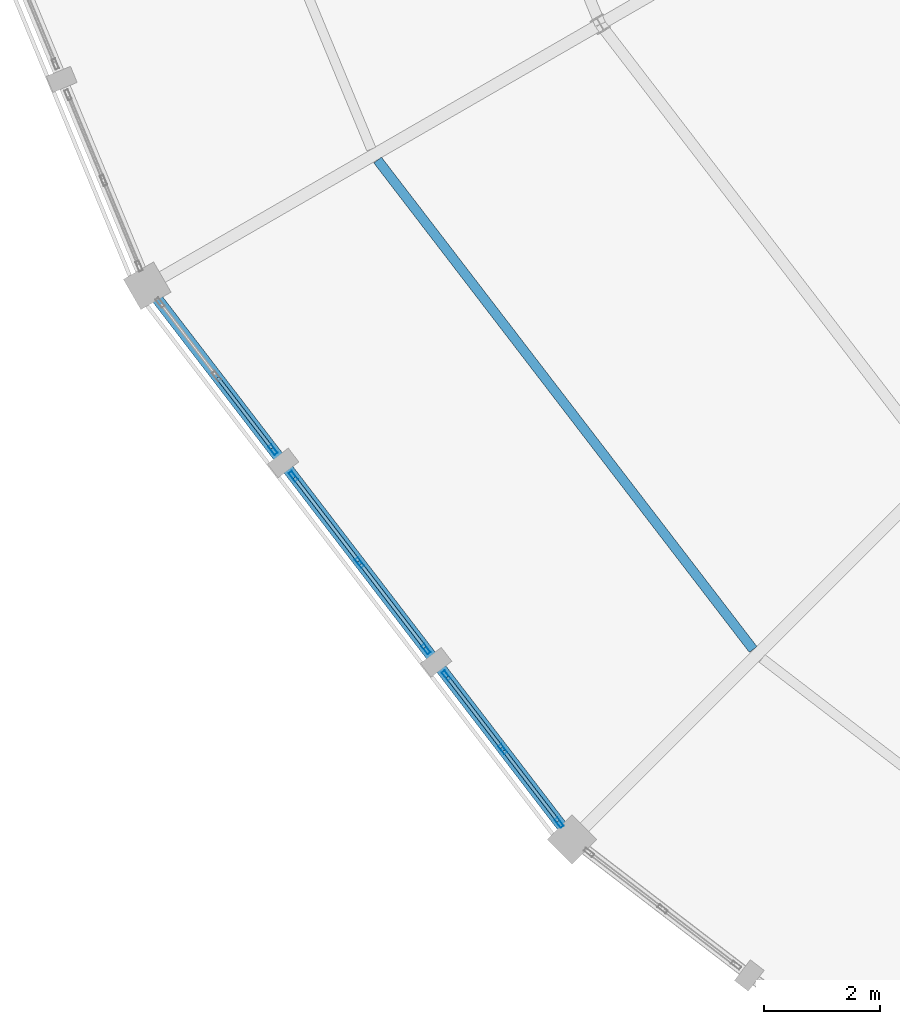
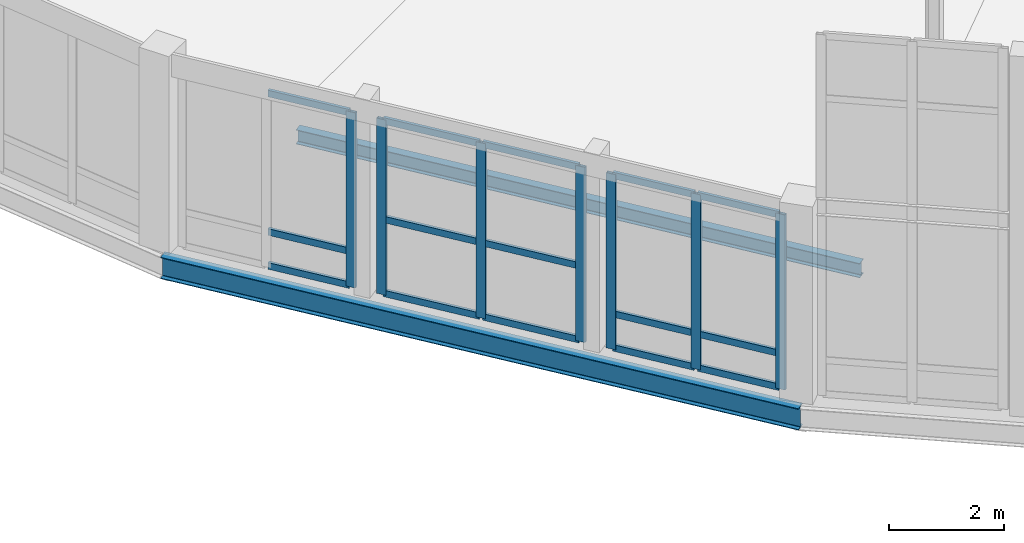
# One storey, part 44 of 185: 22 members, 2 beams, 3 elements without a shape of their own.
"""IFC4 building model written with IfcOpenShell, lengths in metres."""

from ifc_helpers import new_model, si_unit, direction, frame, origin, origin_2d, place, context, subcontext, project, spatial, hollow_rectangle, i_section, extrude, material, material_profile, profile_set, type_object, element, aggregate, save


model = new_model("IFC4")

# Units and contexts
model_context = context("Model", 3, precision=1e-05, world=origin(), true_north=direction((0.0, 1.0)))
body_context = subcontext(model_context, "Body", "Model", "MODEL_VIEW")
ifc_project = project(units=[si_unit("LENGTHUNIT", "METRE"), si_unit("AREAUNIT", "SQUARE_METRE"), si_unit("VOLUMEUNIT", "CUBIC_METRE"), si_unit("PLANEANGLEUNIT", "RADIAN"), si_unit("MASSUNIT", "GRAM", prefix="KILO")], contexts=[model_context])

# Site, building, storey
site_placement = place(None, origin())
site = spatial("IfcSite", under=ifc_project, at=site_placement, CompositionType="ELEMENT")
building_placement = place(site_placement, origin())
building = spatial("IfcBuilding", under=site, at=building_placement, Name="Vondelvale Polytechnic", CompositionType="ELEMENT")
storey_placement = place(building_placement, frame((0.0, 0.0, 9.60009765625)))
storey = spatial("IfcBuildingStorey", under=building, at=storey_placement, Name="L02", CompositionType="ELEMENT", Elevation=9.60009765625)

# Beam
ifc_material_1 = material(Name="Steel 300PLUS (fy = 300 MPa)", Category="steel")
ifc_material_profile_1 = material_profile(ifc_material_1, i_section(OverallWidth=0.18994140625, OverallDepth=0.45703125, WebThickness=0.009033203125, FlangeThickness=0.014404296875, FilletRadius=0.011474609375, at=origin_2d()), Name="460UB74.6")
ifc_profile_set_1 = profile_set([ifc_material_profile_1], Name="Steel 300PLUS (fy = 300 MPa)")
beam_type_1 = type_object("IfcBeamType", Name="BM-UB460", PredefinedType="BEAM", material=ifc_profile_set_1)
beam_1_placement = place(storey_placement, frame((62.162841796875, 49.0, -0.508544921875), z_axis=(0.608766116008, -0.793349743808, 0.0), x_axis=(0.793349743808, 0.608766116008, 0.0)))
element("IfcBeam", 1, at=beam_1_placement, inside=storey, type_object=beam_type_1, Name="L02 RB B-13", PredefinedType="BEAM", context=body_context, shape_type="SweptSolid", body=[
    extrude(i_section(OverallWidth=0.18994140625, OverallDepth=0.45703125, WebThickness=0.009033203125, FlangeThickness=0.014404296875, FilletRadius=0.011474609375, at=origin_2d()), origin(), (0.0, 0.0, 1.0), 12.00830078125),
])

# Curtain wall, member
ifc_material_2 = material(Name="Glulam GL18 structural Tasmanian oak (fb = 42 MPa)", Category="wood")
curtain_wall_type = type_object("IfcCurtainWallType", Name="CW-RING-OUTER", PredefinedType="NOTDEFINED", material=ifc_material_2)
curtain_wall_1_placement = place(storey_placement, origin())
curtain_wall_1 = element("IfcCurtainWall", 2, at=curtain_wall_1_placement, inside=storey, type_object=curtain_wall_type, Name="L02 architectural curtain wall CW-04-303", PredefinedType="NOTDEFINED")
ifc_material_3 = material(Name="Anodised extruded aluminium 6063-T6", Category="aluminium")
ifc_material_profile_2 = material_profile(ifc_material_3, hollow_rectangle(XDim=0.06494140625, YDim=0.179931640625, WallThickness=0.00390625, at=origin_2d()), Name="CW-MUL-180x65")
ifc_profile_set_2 = profile_set([ifc_material_profile_2], Name="Anodised extruded aluminium 6063-T6")
member_type_1 = type_object("IfcMemberType", Name="CW-MUL-65x180", PredefinedType="MULLION", material=ifc_profile_set_2)
member_1_placement = place(storey_placement, frame((64.3271484375, 46.179443359375, 0.0), z_axis=(0.0, 0.0, 1.0), x_axis=(0.793333825656, 0.608786860133, 0.0)))
member_1 = element("IfcMember", 3, at=member_1_placement, type_object=member_type_1, Name="CW-04-303 mullion 3", PredefinedType="MULLION", context=body_context, shape_type="SweptSolid", body=[
    extrude(hollow_rectangle(XDim=0.06494140625, YDim=0.179931640625, WallThickness=0.00390625, at=origin_2d()), origin(), (0.0, 0.0, 1.0), 3.719970703125),
])

# Curtain wall, members
curtain_wall_2_placement = place(storey_placement, origin())
curtain_wall_2 = element("IfcCurtainWall", 4, at=curtain_wall_2_placement, inside=storey, type_object=curtain_wall_type, Name="L02 architectural curtain wall CW-04-304", PredefinedType="NOTDEFINED")
member_2_placement = place(storey_placement, frame((64.677001953125, 45.723388671875, 0.0), z_axis=(0.0, 0.0, 1.0), x_axis=(0.793345851043, 0.608771189063, 0.0)))
member_2 = element("IfcMember", 5, at=member_2_placement, type_object=member_type_1, Name="CW-04-304 mullion 1", PredefinedType="MULLION", context=body_context, shape_type="SweptSolid", body=[
    extrude(hollow_rectangle(XDim=0.06494140625, YDim=0.179931640625, WallThickness=0.00390625, at=origin_2d()), origin(), (0.0, 0.0, 1.0), 3.719970703125),
])
member_3_placement = place(storey_placement, frame((65.81787109375, 44.236572265625, 0.0), z_axis=(0.0, 0.0, 1.0), x_axis=(0.793345851043, 0.608771189063, 0.0)))
member_3 = element("IfcMember", 6, at=member_3_placement, type_object=member_type_1, Name="CW-04-304 mullion 2", PredefinedType="MULLION", context=body_context, shape_type="SweptSolid", body=[
    extrude(hollow_rectangle(XDim=0.06494140625, YDim=0.179931640625, WallThickness=0.00390625, at=origin_2d()), origin(), (0.0, 0.0, 1.0), 3.719970703125),
])
member_4_placement = place(storey_placement, frame((66.958740234375, 42.749755859375, 0.0), z_axis=(0.0, 0.0, 1.0), x_axis=(0.793345851043, 0.608771189063, 0.0)))
member_4 = element("IfcMember", 7, at=member_4_placement, type_object=member_type_1, Name="CW-04-304 mullion 3", PredefinedType="MULLION", context=body_context, shape_type="SweptSolid", body=[
    extrude(hollow_rectangle(XDim=0.06494140625, YDim=0.179931640625, WallThickness=0.00390625, at=origin_2d()), origin(), (0.0, 0.0, 1.0), 3.719970703125),
])

curtain_wall_3_placement = place(storey_placement, origin())
curtain_wall_3 = element("IfcCurtainWall", 8, at=curtain_wall_3_placement, inside=storey, type_object=curtain_wall_type, Name="L02 architectural curtain wall CW-04-305", PredefinedType="NOTDEFINED")
member_5_placement = place(storey_placement, frame((67.308837890625, 42.293701171875, 0.0), z_axis=(0.0, 0.0, 1.0), x_axis=(0.793333825656, 0.608786860133, 0.0)))
member_5 = element("IfcMember", 9, at=member_5_placement, type_object=member_type_1, Name="CW-04-305 mullion 1", PredefinedType="MULLION", context=body_context, shape_type="SweptSolid", body=[
    extrude(hollow_rectangle(XDim=0.06494140625, YDim=0.179931640625, WallThickness=0.00390625, at=origin_2d()), origin(), (0.0, 0.0, 1.0), 3.719970703125),
])
member_6_placement = place(storey_placement, frame((68.27978515625, 41.0283203125, 0.0), z_axis=(0.0, 0.0, 1.0), x_axis=(0.793333825656, 0.608786860133, 0.0)))
member_6 = element("IfcMember", 10, at=member_6_placement, type_object=member_type_1, Name="CW-04-305 mullion 2", PredefinedType="MULLION", context=body_context, shape_type="SweptSolid", body=[
    extrude(hollow_rectangle(XDim=0.06494140625, YDim=0.179931640625, WallThickness=0.00390625, at=origin_2d()), origin(), (0.0, 0.0, 1.0), 3.719970703125),
])
member_7_placement = place(storey_placement, frame((69.250732421875, 39.762939453125, 0.0), z_axis=(0.0, 0.0, 1.0), x_axis=(0.793333825656, 0.608786860133, 0.0)))
member_7 = element("IfcMember", 11, at=member_7_placement, type_object=member_type_1, Name="CW-04-305 mullion 3", PredefinedType="MULLION", context=body_context, shape_type="SweptSolid", body=[
    extrude(hollow_rectangle(XDim=0.06494140625, YDim=0.179931640625, WallThickness=0.00390625, at=origin_2d()), origin(), (0.0, 0.0, 1.0), 3.719970703125),
])

# Member
ifc_material_profile_3 = material_profile(ifc_material_3, hollow_rectangle(XDim=0.06005859375, YDim=0.139892578125, WallThickness=0.00341796875, at=origin_2d()), Name="CW-TRN-140x60")
ifc_profile_set_3 = profile_set([ifc_material_profile_3], Name="Anodised extruded aluminium 6063-T6")
member_type_2 = type_object("IfcMemberType", Name="CW-TRN-60x140", PredefinedType="USERDEFINED", material=ifc_profile_set_3)
member_8_placement = place(storey_placement, frame((63.3759765625, 47.4189453125, 0.02978515625), z_axis=(0.60882345649, -0.793305741078, 0.0), x_axis=(0.793305741078, 0.60882345649, 0.0)))
member_8 = element("IfcMember", 12, at=member_8_placement, type_object=member_type_2, Name="CW-04-303 transom 2.1", ObjectType="TRANSOM", PredefinedType="USERDEFINED", context=body_context, shape_type="SweptSolid", body=[
    extrude(hollow_rectangle(XDim=0.06005859375, YDim=0.139892578125, WallThickness=0.00341796875, at=origin_2d()), origin(), (0.0, 0.0, 1.0), 1.52978515625),
])

member_9_placement = place(storey_placement, frame((63.3759765625, 47.4189453125, 0.75), z_axis=(0.60882345649, -0.793305741078, 0.0), x_axis=(0.793305741078, 0.60882345649, 0.0)))
member_9 = element("IfcMember", 13, at=member_9_placement, type_object=member_type_2, Name="CW-04-303 transom 2.2", ObjectType="TRANSOM", PredefinedType="USERDEFINED", context=body_context, shape_type="SweptSolid", body=[
    extrude(hollow_rectangle(XDim=0.06005859375, YDim=0.139892578125, WallThickness=0.00341796875, at=origin_2d()), origin(), (0.0, 0.0, 1.0), 1.52978515625),
])

member_10_placement = place(storey_placement, frame((63.3759765625, 47.4189453125, 3.68994140625), z_axis=(0.60882345649, -0.793305741078, 0.0), x_axis=(0.793305741078, 0.60882345649, 0.0)))
member_10 = element("IfcMember", 14, at=member_10_placement, type_object=member_type_2, Name="CW-04-303 transom 2.3", ObjectType="TRANSOM", PredefinedType="USERDEFINED", context=body_context, shape_type="SweptSolid", body=[
    extrude(hollow_rectangle(XDim=0.06005859375, YDim=0.139892578125, WallThickness=0.00341796875, at=origin_2d()), origin(), (0.0, 0.0, 1.0), 1.52978515625),
])

aggregate(curtain_wall_1, [member_1, member_8, member_9, member_10])

member_11_placement = place(storey_placement, frame((64.69677734375, 45.697509765625, 0.02978515625), z_axis=(0.608816809849, -0.793310842007, 0.0), x_axis=(0.793310842007, 0.608816809849, 0.0)))
member_11 = element("IfcMember", 15, at=member_11_placement, type_object=member_type_2, Name="CW-04-304 transom 1.1", ObjectType="TRANSOM", PredefinedType="USERDEFINED", context=body_context, shape_type="SweptSolid", body=[
    extrude(hollow_rectangle(XDim=0.06005859375, YDim=0.139892578125, WallThickness=0.00341796875, at=origin_2d()), origin(), (0.0, 0.0, 1.0), 1.808837890625),
])

member_12_placement = place(storey_placement, frame((64.69677734375, 45.697509765625, 1.599853515625), z_axis=(0.608816809849, -0.793310842007, 0.0), x_axis=(0.793310842007, 0.608816809849, 0.0)))
member_12 = element("IfcMember", 16, at=member_12_placement, type_object=member_type_2, Name="CW-04-304 transom 1.2", ObjectType="TRANSOM", PredefinedType="USERDEFINED", context=body_context, shape_type="SweptSolid", body=[
    extrude(hollow_rectangle(XDim=0.06005859375, YDim=0.139892578125, WallThickness=0.00341796875, at=origin_2d()), origin(), (0.0, 0.0, 1.0), 1.808837890625),
])

member_13_placement = place(storey_placement, frame((64.69677734375, 45.697509765625, 3.68994140625), z_axis=(0.608816809849, -0.793310842007, 0.0), x_axis=(0.793310842007, 0.608816809849, 0.0)))
member_13 = element("IfcMember", 17, at=member_13_placement, type_object=member_type_2, Name="CW-04-304 transom 1.3", ObjectType="TRANSOM", PredefinedType="USERDEFINED", context=body_context, shape_type="SweptSolid", body=[
    extrude(hollow_rectangle(XDim=0.06005859375, YDim=0.139892578125, WallThickness=0.00341796875, at=origin_2d()), origin(), (0.0, 0.0, 1.0), 1.808837890625),
])

member_14_placement = place(storey_placement, frame((65.837646484375, 44.210693359375, 0.02978515625), z_axis=(0.608816809849, -0.793310842007, 0.0), x_axis=(0.793310842007, 0.608816809849, 0.0)))
member_14 = element("IfcMember", 18, at=member_14_placement, type_object=member_type_2, Name="CW-04-304 transom 2.1", ObjectType="TRANSOM", PredefinedType="USERDEFINED", context=body_context, shape_type="SweptSolid", body=[
    extrude(hollow_rectangle(XDim=0.06005859375, YDim=0.139892578125, WallThickness=0.00341796875, at=origin_2d()), origin(), (0.0, 0.0, 1.0), 1.808837890625),
])

member_15_placement = place(storey_placement, frame((65.837646484375, 44.210693359375, 1.599853515625), z_axis=(0.608816809849, -0.793310842007, 0.0), x_axis=(0.793310842007, 0.608816809849, 0.0)))
member_15 = element("IfcMember", 19, at=member_15_placement, type_object=member_type_2, Name="CW-04-304 transom 2.2", ObjectType="TRANSOM", PredefinedType="USERDEFINED", context=body_context, shape_type="SweptSolid", body=[
    extrude(hollow_rectangle(XDim=0.06005859375, YDim=0.139892578125, WallThickness=0.00341796875, at=origin_2d()), origin(), (0.0, 0.0, 1.0), 1.808837890625),
])

member_16_placement = place(storey_placement, frame((65.837646484375, 44.210693359375, 3.68994140625), z_axis=(0.608816809849, -0.793310842007, 0.0), x_axis=(0.793310842007, 0.608816809849, 0.0)))
member_16 = element("IfcMember", 20, at=member_16_placement, type_object=member_type_2, Name="CW-04-304 transom 2.3", ObjectType="TRANSOM", PredefinedType="USERDEFINED", context=body_context, shape_type="SweptSolid", body=[
    extrude(hollow_rectangle(XDim=0.06005859375, YDim=0.139892578125, WallThickness=0.00341796875, at=origin_2d()), origin(), (0.0, 0.0, 1.0), 1.808837890625),
])

aggregate(curtain_wall_2, [member_2, member_3, member_4, member_11, member_12, member_13, member_14, member_15, member_16])

member_17_placement = place(storey_placement, frame((67.32861328125, 42.267822265625, 0.02978515625), z_axis=(0.608746385664, -0.793364883229, 0.0), x_axis=(0.793364883229, 0.608746385664, 0.0)))
member_17 = element("IfcMember", 21, at=member_17_placement, type_object=member_type_2, Name="CW-04-305 transom 1.1", ObjectType="TRANSOM", PredefinedType="USERDEFINED", context=body_context, shape_type="SweptSolid", body=[
    extrude(hollow_rectangle(XDim=0.06005859375, YDim=0.139892578125, WallThickness=0.00341796875, at=origin_2d()), origin(), (0.0, 0.0, 1.0), 1.530029296875),
])

member_18_placement = place(storey_placement, frame((67.32861328125, 42.267822265625, 0.75), z_axis=(0.608746385664, -0.793364883229, 0.0), x_axis=(0.793364883229, 0.608746385664, 0.0)))
member_18 = element("IfcMember", 22, at=member_18_placement, type_object=member_type_2, Name="CW-04-305 transom 1.2", ObjectType="TRANSOM", PredefinedType="USERDEFINED", context=body_context, shape_type="SweptSolid", body=[
    extrude(hollow_rectangle(XDim=0.06005859375, YDim=0.139892578125, WallThickness=0.00341796875, at=origin_2d()), origin(), (0.0, 0.0, 1.0), 1.530029296875),
])

member_19_placement = place(storey_placement, frame((67.32861328125, 42.267822265625, 3.68994140625), z_axis=(0.608746385664, -0.793364883229, 0.0), x_axis=(0.793364883229, 0.608746385664, 0.0)))
member_19 = element("IfcMember", 23, at=member_19_placement, type_object=member_type_2, Name="CW-04-305 transom 1.3", ObjectType="TRANSOM", PredefinedType="USERDEFINED", context=body_context, shape_type="SweptSolid", body=[
    extrude(hollow_rectangle(XDim=0.06005859375, YDim=0.139892578125, WallThickness=0.00341796875, at=origin_2d()), origin(), (0.0, 0.0, 1.0), 1.530029296875),
])

member_20_placement = place(storey_placement, frame((68.299560546875, 41.00244140625, 0.02978515625), z_axis=(0.608746385664, -0.793364883229, 0.0), x_axis=(0.793364883229, 0.608746385664, 0.0)))
member_20 = element("IfcMember", 24, at=member_20_placement, type_object=member_type_2, Name="CW-04-305 transom 2.1", ObjectType="TRANSOM", PredefinedType="USERDEFINED", context=body_context, shape_type="SweptSolid", body=[
    extrude(hollow_rectangle(XDim=0.06005859375, YDim=0.139892578125, WallThickness=0.00341796875, at=origin_2d()), origin(), (0.0, 0.0, 1.0), 1.530029296875),
])

member_21_placement = place(storey_placement, frame((68.299560546875, 41.00244140625, 0.75), z_axis=(0.608746385664, -0.793364883229, 0.0), x_axis=(0.793364883229, 0.608746385664, 0.0)))
member_21 = element("IfcMember", 25, at=member_21_placement, type_object=member_type_2, Name="CW-04-305 transom 2.2", ObjectType="TRANSOM", PredefinedType="USERDEFINED", context=body_context, shape_type="SweptSolid", body=[
    extrude(hollow_rectangle(XDim=0.06005859375, YDim=0.139892578125, WallThickness=0.00341796875, at=origin_2d()), origin(), (0.0, 0.0, 1.0), 1.530029296875),
])

member_22_placement = place(storey_placement, frame((68.299560546875, 41.00244140625, 3.68994140625), z_axis=(0.608746385664, -0.793364883229, 0.0), x_axis=(0.793364883229, 0.608746385664, 0.0)))
member_22 = element("IfcMember", 26, at=member_22_placement, type_object=member_type_2, Name="CW-04-305 transom 2.3", ObjectType="TRANSOM", PredefinedType="USERDEFINED", context=body_context, shape_type="SweptSolid", body=[
    extrude(hollow_rectangle(XDim=0.06005859375, YDim=0.139892578125, WallThickness=0.00341796875, at=origin_2d()), origin(), (0.0, 0.0, 1.0), 1.530029296875),
])

aggregate(curtain_wall_3, [member_5, member_6, member_7, member_17, member_18, member_19, member_20, member_21, member_22])

# Beam
ifc_material_profile_4 = material_profile(ifc_material_1, i_section(OverallWidth=0.1650390625, OverallDepth=0.303955078125, WebThickness=0.006103515625, FlangeThickness=0.01025390625, FilletRadius=0.011474609375, at=origin_2d()), Name="310UB40.4")
ifc_profile_set_4 = profile_set([ifc_material_profile_4], Name="Steel 300PLUS (fy = 300 MPa)")
beam_type_2 = type_object("IfcBeamType", Name="JST-UB310", PredefinedType="JOIST", material=ifc_profile_set_4)
beam_2_placement = place(storey_placement, frame((66.126953125, 51.16259765625, -0.43212890625), z_axis=(0.608770977523, -0.793346013368, 0.0), x_axis=(0.793346013368, 0.608770977523, 0.0)))
element("IfcBeam", 27, at=beam_2_placement, inside=storey, type_object=beam_type_2, Name="L02 RJ J-05", PredefinedType="JOIST", context=body_context, shape_type="SweptSolid", body=[
    extrude(i_section(OverallWidth=0.1650390625, OverallDepth=0.303955078125, WebThickness=0.006103515625, FlangeThickness=0.01025390625, FilletRadius=0.011474609375, at=origin_2d()), origin(), (0.0, 0.0, 1.0), 10.613525390625),
])

save(model, "model.ifc")
